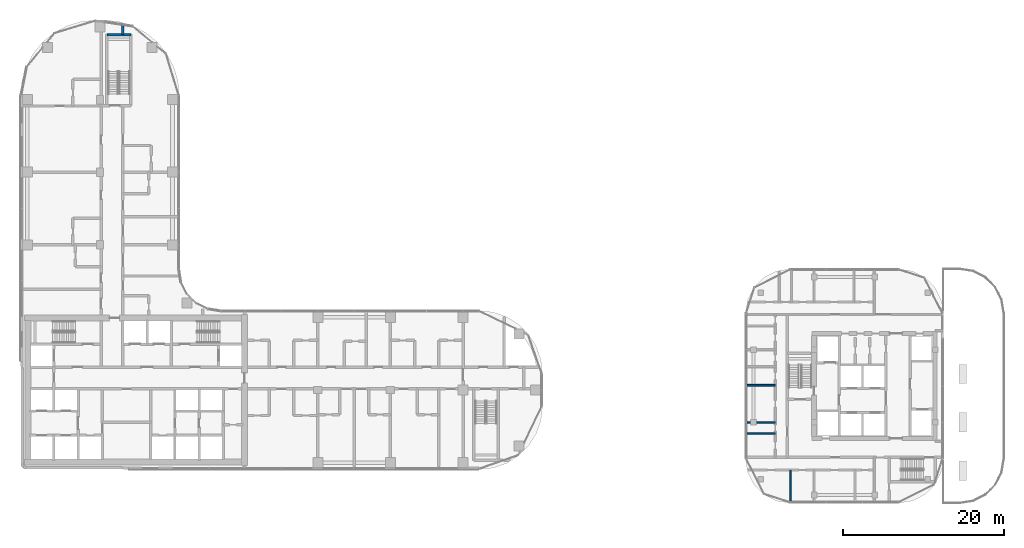
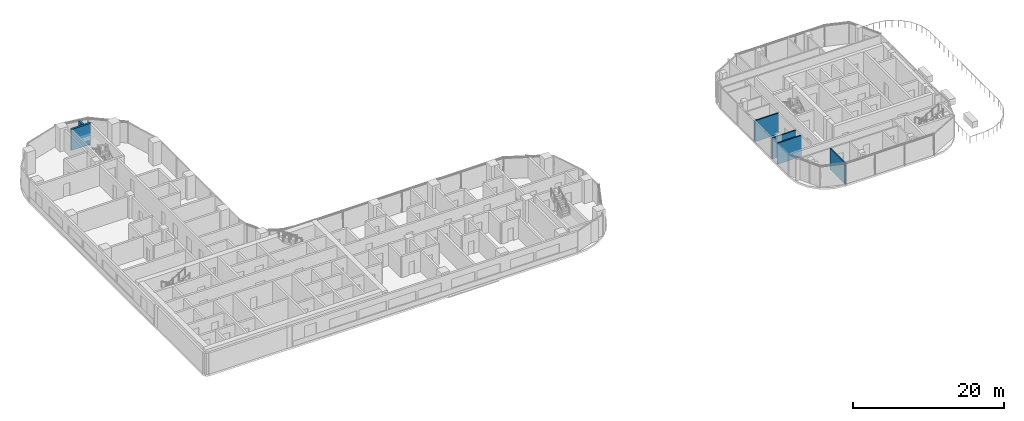
# One storey, part 22 of 35: 6 walls.
"""IFC4 building model written with IfcOpenShell, lengths in metres."""

from ifc_helpers import new_model, si_unit, direction, frame, frame_2d, origin, place, context, subcontext, project, spatial, rectangle, extrude, material, layer, layer_set, type_object, element, save


model = new_model("IFC4")

# Units and contexts
model_context = context("Model", 3, precision=1e-05, world=origin(), true_north=direction((0.0, 1.0)))
body_context = subcontext(model_context, "Body", "Model", "MODEL_VIEW")
ifc_project = project(units=[si_unit("LENGTHUNIT", "METRE"), si_unit("AREAUNIT", "SQUARE_METRE"), si_unit("VOLUMEUNIT", "CUBIC_METRE"), si_unit("PLANEANGLEUNIT", "RADIAN"), si_unit("MASSUNIT", "GRAM", prefix="KILO")], contexts=[model_context])

# Site, building, storey
site_placement = place(None, origin())
site = spatial("IfcSite", under=ifc_project, at=site_placement, CompositionType="ELEMENT")
building_placement = place(site_placement, origin())
building = spatial("IfcBuilding", under=site, at=building_placement, Name="Ogive Portal Towers", CompositionType="ELEMENT")
storey_placement = place(building_placement, frame((0.0, 0.0, 94.5)))
storey = spatial("IfcBuildingStorey", under=building, at=storey_placement, Name="L22", CompositionType="ELEMENT", Elevation=94.5)

# Walls
ifc_material_1 = material(Name="Concrete C50/60", Category="concrete")
ifc_layer_1 = layer(ifc_material_1, 0.300048828125)
ifc_layer_set_1 = layer_set([ifc_layer_1], Name="STAIR WALL 300 C50")
wall_type_1 = type_object("IfcWallType", Name="STAIR WALL 300 C50", PredefinedType="SHEAR", material=ifc_layer_set_1)
wall_1_placement = place(storey_placement, frame((41.35009765625, 74.550048828125, 0.0), z_axis=(0.0, 0.0, 1.0), x_axis=(1.0, 0.0, 0.0)))
element("IfcWall", 1, at=wall_1_placement, inside=storey, type_object=wall_type_1, Name="Stair wall ST-A3 L22", PredefinedType="SHEAR", context=body_context, shape_type="SweptSolid", body=[
    extrude(rectangle(XDim=3.0, YDim=0.300048828125, at=frame_2d((1.5, 0.0))), origin(), (0.0, 0.0, 1.0), 3.39990234375),
])
ifc_material_2 = material(Name="Gypsum board partition on steel studs", Category="steel")
ifc_layer_2 = layer(ifc_material_2, 0.199951171875)
ifc_layer_set_2 = layer_set([ifc_layer_2], Name="WT-PART-200-EI 60")
wall_type_2 = type_object("IfcWallType", Name="WT-PART-200-EI 60", PredefinedType="PARTITIONING", material=ifc_layer_set_2)
for number, where, z_axis, x_axis, name in (
    (2, (120.56005859375, 25.10595703125, 0.0), (0.0, 0.0, 1.0), (1.0, 0.0, 0.0), "Wall L22:w006"),
    (3, (120.56005859375, 26.5, 0.0), (0.0, 0.0, 1.0), (1.0, 0.0, 0.0), "Wall L22:w007"),
    (4, (120.56005859375, 31.091064453125, 0.0), (0.0, 0.0, 1.0), (1.0, 0.0, 0.0), "Wall L22:w009"),
):
    element("IfcWall", number, at=place(storey_placement, frame(where, z_axis=z_axis, x_axis=x_axis)), inside=storey, type_object=wall_type_2, Name=name, PredefinedType="PARTITIONING", context=body_context, shape_type="SweptSolid", body=[
        extrude(rectangle(XDim=3.6298828125, YDim=0.199951171875, at=frame_2d((1.81494140625, 0.0))), origin(), (0.0, 0.0, 1.0), 3.39990234375),
    ])
wall_2_placement = place(storey_placement, frame((126.06298828125, 16.56005859375, 0.0), z_axis=(0.0, 0.0, 1.0), x_axis=(0.0, 1.0, 0.0)))
element("IfcWall", 5, at=wall_2_placement, inside=storey, type_object=wall_type_2, Name="Wall L22:w021", PredefinedType="PARTITIONING", context=body_context, shape_type="SweptSolid", body=[
    extrude(rectangle(XDim=4.030029296875, YDim=0.199951171875, at=frame_2d((2.01513671875, 0.0))), origin(), (0.0, 0.0, 1.0), 3.39990234375),
])
ifc_material_3 = material(Name="Concrete C40/50", Category="concrete")
ifc_layer_3 = layer(ifc_material_3, 0.300048828125)
ifc_layer_set_3 = layer_set([ifc_layer_3], Name="WT-SHAFT-300")
wall_type_3 = type_object("IfcWallType", Name="WT-SHAFT-300", PredefinedType="SOLIDWALL", material=ifc_layer_set_3)
wall_3_placement = place(storey_placement, frame((43.35009765625, 74.550048828125, 0.0), z_axis=(0.0, 0.0, 1.0), x_axis=(0.0, 1.0, 0.0)))
element("IfcWall", 6, at=wall_3_placement, inside=storey, type_object=wall_type_3, Name="Wall L22:w038", PredefinedType="SOLIDWALL", context=body_context, shape_type="SweptSolid", body=[
    extrude(rectangle(XDim=1.35205078125, YDim=0.300048828125, at=frame_2d((0.676025390625, 0.0))), origin(), (0.0, 0.0, 1.0), 3.35009765625),
])

save(model, "model.ifc")
